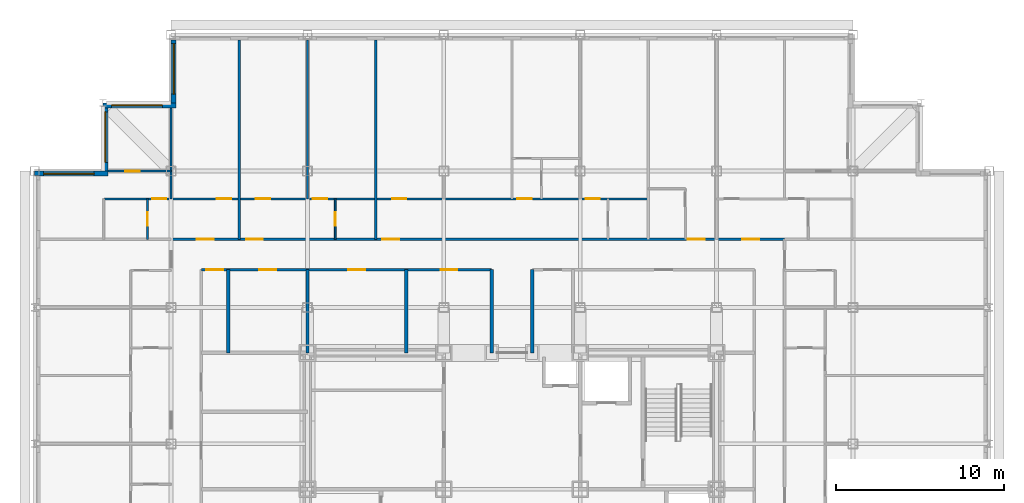
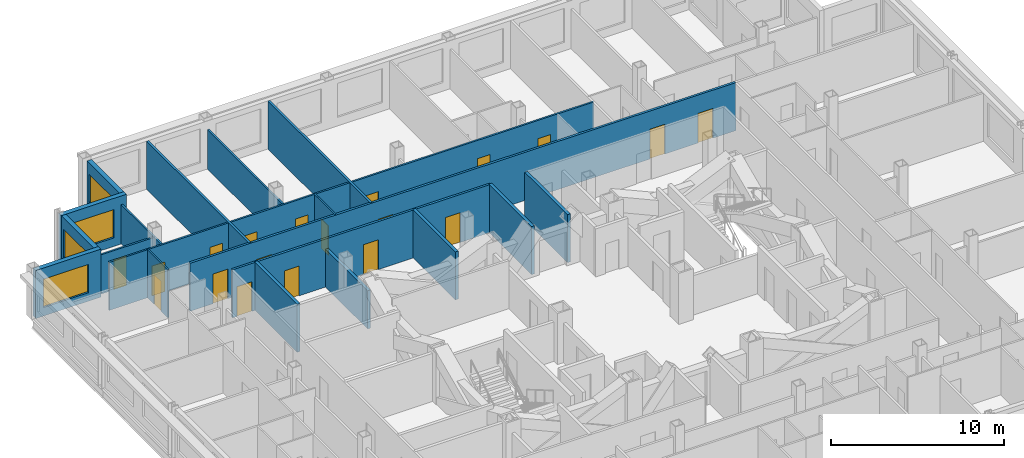
# One storey, part 9 of 12: 19 doors, 19 walls, 4 windows, 23 openings.
"""IFC4 building model written with IfcOpenShell, lengths in metres."""

from ifc_helpers import new_model, si_unit, direction, frame, frame_2d, origin, place, context, subcontext, project, spatial, rectangle, extrude, material, layer, layer_set, type_object, element, fill, save


model = new_model("IFC4")

# Units and contexts
model_context = context("Model", 3, precision=1e-05, world=origin(), true_north=direction((0.0, 1.0)))
body_context = subcontext(model_context, "Body", "Model", "MODEL_VIEW")
ifc_project = project(units=[si_unit("LENGTHUNIT", "METRE"), si_unit("AREAUNIT", "SQUARE_METRE"), si_unit("VOLUMEUNIT", "CUBIC_METRE"), si_unit("PLANEANGLEUNIT", "RADIAN"), si_unit("MASSUNIT", "GRAM", prefix="KILO")], contexts=[model_context])

# Site, building, storey
site_placement = place(None, origin())
site = spatial("IfcSite", under=ifc_project, at=site_placement, CompositionType="ELEMENT")
building_placement = place(site_placement, origin())
building = spatial("IfcBuilding", under=site, at=building_placement, Name="Kopane Lantern Tower", CompositionType="ELEMENT")
storey_placement = place(building_placement, frame((0.0, 0.0, 210.0)))
storey = spatial("IfcBuildingStorey", under=building, at=storey_placement, Name="L54", CompositionType="ELEMENT", Elevation=210.0)

# Wall
ifc_material_1 = material(Name="Gypsum board on steel studs", Category="steel")
ifc_layer_1 = layer(ifc_material_1, 0.1201171875)
ifc_layer_set_1 = layer_set([ifc_layer_1], Name="APARTMENT INTERNAL WALL 120")
wall_type_1 = type_object("IfcWallType", Name="APARTMENT INTERNAL WALL 120", PredefinedType="PARTITIONING", material=ifc_layer_set_1)
wall_1_placement = place(storey_placement, frame((16.199951171875, 49.64990234375, 0.0), z_axis=(0.0, 0.0, 1.0), x_axis=(0.0, 1.0, 0.0)))
element("IfcWall", 1, at=wall_1_placement, inside=storey, type_object=wall_type_1, Name="Apartment Internal Wall 120 L54", PredefinedType="PARTITIONING", context=body_context, shape_type="SweptSolid", body=[
    extrude(rectangle(XDim=9.4501953125, YDim=0.1201171875, at=frame_2d((4.72509765625, 0.0))), origin(), (0.0, 0.0, 1.0), 2.77783203125),
])

# Wall, openings, doors
wall_2_placement = place(storey_placement, frame((4.10009765625, 49.64990234375, 0.0), z_axis=(0.0, 0.0, 1.0), x_axis=(1.0, 0.0, 0.0)))
wall_2 = element("IfcWall", 2, at=wall_2_placement, inside=storey, type_object=wall_type_1, Name="Apartment Internal Wall 120 L54", PredefinedType="PARTITIONING", context=body_context, shape_type="SweptSolid", body=[
    extrude(rectangle(XDim=32.349853515625, YDim=0.1201171875, at=frame_2d((16.1748046875, 0.0))), origin(), (0.0, 0.0, 1.0), 3.389892578125),
])
opening_1_placement = place(wall_2_placement, frame((9.02490234375, 0.0, 0.0)))
opening_1 = element("IfcOpeningElement", 3, at=opening_1_placement, cuts=wall_2, Name="Opening L54-031", PredefinedType="OPENING", context=body_context, shape_type="SweptSolid", body=[
    extrude(rectangle(XDim=0.85009765625, YDim=2.10009765625, at=frame_2d((0.425048828125, 1.050048828125))), frame((0.0, 0.070068359375, 0.0), z_axis=(0.0, -1.0, 0.0), x_axis=(1.0, 0.0, 0.0)), (0.0, 0.0, 1.0), 0.14013671875),
])
opening_2_placement = place(wall_2_placement, frame((12.425048828125, 0.0, 0.0)))
opening_2 = element("IfcOpeningElement", 4, at=opening_2_placement, cuts=wall_2, Name="Opening L54-032", PredefinedType="OPENING", context=body_context, shape_type="SweptSolid", body=[
    extrude(rectangle(XDim=0.85009765625, YDim=2.10009765625, at=frame_2d((0.425048828125, 1.050048828125))), frame((0.0, 0.070068359375, 0.0), z_axis=(0.0, -1.0, 0.0), x_axis=(1.0, 0.0, 0.0)), (0.0, 0.0, 1.0), 0.14013671875),
])
opening_3_placement = place(wall_2_placement, frame((17.125, 0.0, 0.0)))
opening_3 = element("IfcOpeningElement", 5, at=opening_3_placement, cuts=wall_2, Name="Opening L54-035", PredefinedType="OPENING", context=body_context, shape_type="SweptSolid", body=[
    extrude(rectangle(XDim=0.85009765625, YDim=2.10009765625, at=frame_2d((0.425048828125, 1.050048828125))), frame((0.0, 0.070068359375, 0.0), z_axis=(0.0, -1.0, 0.0), x_axis=(1.0, 0.0, 0.0)), (0.0, 0.0, 1.0), 0.14013671875),
])
opening_4_placement = place(wall_2_placement, frame((24.574951171875, 0.0, 0.0)))
opening_4 = element("IfcOpeningElement", 6, at=opening_4_placement, cuts=wall_2, Name="Opening L54-037", PredefinedType="OPENING", context=body_context, shape_type="SweptSolid", body=[
    extrude(rectangle(XDim=0.85009765625, YDim=2.10009765625, at=frame_2d((0.425048828125, 1.050048828125))), frame((0.0, 0.070068359375, 0.0), z_axis=(0.0, -1.0, 0.0), x_axis=(1.0, 0.0, 0.0)), (0.0, 0.0, 1.0), 0.14013671875),
])
opening_5_placement = place(wall_2_placement, frame((28.625, 0.0, 0.0)))
opening_5 = element("IfcOpeningElement", 7, at=opening_5_placement, cuts=wall_2, Name="Opening L54-038", PredefinedType="OPENING", context=body_context, shape_type="SweptSolid", body=[
    extrude(rectangle(XDim=0.85009765625, YDim=2.10009765625, at=frame_2d((0.425048828125, 1.050048828125))), frame((0.0, 0.070068359375, 0.0), z_axis=(0.0, -1.0, 0.0), x_axis=(1.0, 0.0, 0.0)), (0.0, 0.0, 1.0), 0.14013671875),
])
opening_6_placement = place(wall_2_placement, frame((6.72509765625, 0.0, 0.0)))
opening_6 = element("IfcOpeningElement", 8, at=opening_6_placement, cuts=wall_2, Name="Opening L54-076", PredefinedType="OPENING", context=body_context, shape_type="SweptSolid", body=[
    extrude(rectangle(XDim=0.85009765625, YDim=2.10009765625, at=frame_2d((0.425048828125, 1.050048828125))), frame((0.0, 0.070068359375, 0.0), z_axis=(0.0, -1.0, 0.0), x_axis=(1.0, 0.0, 0.0)), (0.0, 0.0, 1.0), 0.14013671875),
])
opening_7_placement = place(wall_2_placement, frame((2.875, 0.0, 0.0)))
opening_7 = element("IfcOpeningElement", 9, at=opening_7_placement, cuts=wall_2, Name="Opening L54-078", PredefinedType="OPENING", context=body_context, shape_type="SweptSolid", body=[
    extrude(rectangle(XDim=0.85009765625, YDim=2.10009765625, at=frame_2d((0.425048828125, 1.050048828125))), frame((0.0, 0.070068359375, 0.0), z_axis=(0.0, -1.0, 0.0), x_axis=(1.0, 0.0, 0.0)), (0.0, 0.0, 1.0), 0.14013671875),
])
ifc_material_2 = material(Name="Timber door set", Category="wood")
door_type_1 = type_object("IfcDoorType", Name="DOOR D4 850x2100", OperationType="SINGLE_SWING_LEFT", PredefinedType="DOOR", material=ifc_material_2)
door_1_placement = place(opening_1_placement, origin())
door_1 = element("IfcDoor", 10, at=door_1_placement, inside=storey, type_object=door_type_1, Name="Door L54-031", OperationType="SINGLE_SWING_RIGHT", OverallHeight=2.10009765625, OverallWidth=0.85009765625, PredefinedType="DOOR", context=body_context, shape_type="SweptSolid", body=[
    extrude(rectangle(XDim=0.85009765625, YDim=2.10009765625, at=frame_2d((0.425048828125, 1.050048828125))), frame((0.0, 0.02490234375, 0.0), z_axis=(0.0, -1.0, 0.0), x_axis=(1.0, 0.0, 0.0)), (0.0, 0.0, 1.0), 0.050048828125),
])
fill(opening_1, door_1)
door_2_placement = place(opening_2_placement, origin())
door_2 = element("IfcDoor", 11, at=door_2_placement, inside=storey, type_object=door_type_1, Name="Door L54-032", OperationType="SINGLE_SWING_LEFT", OverallHeight=2.10009765625, OverallWidth=0.85009765625, PredefinedType="DOOR", context=body_context, shape_type="SweptSolid", body=[
    extrude(rectangle(XDim=0.85009765625, YDim=2.10009765625, at=frame_2d((0.425048828125, 1.050048828125))), frame((0.0, 0.02490234375, 0.0), z_axis=(0.0, -1.0, 0.0), x_axis=(1.0, 0.0, 0.0)), (0.0, 0.0, 1.0), 0.050048828125),
])
fill(opening_2, door_2)
door_3_placement = place(opening_3_placement, origin())
door_3 = element("IfcDoor", 12, at=door_3_placement, inside=storey, type_object=door_type_1, Name="Door L54-035", OperationType="SINGLE_SWING_RIGHT", OverallHeight=2.10009765625, OverallWidth=0.85009765625, PredefinedType="DOOR", context=body_context, shape_type="SweptSolid", body=[
    extrude(rectangle(XDim=0.85009765625, YDim=2.10009765625, at=frame_2d((0.425048828125, 1.050048828125))), frame((0.0, 0.02490234375, 0.0), z_axis=(0.0, -1.0, 0.0), x_axis=(1.0, 0.0, 0.0)), (0.0, 0.0, 1.0), 0.050048828125),
])
fill(opening_3, door_3)
door_4_placement = place(opening_4_placement, origin())
door_4 = element("IfcDoor", 13, at=door_4_placement, inside=storey, type_object=door_type_1, Name="Door L54-037", OperationType="SINGLE_SWING_LEFT", OverallHeight=2.10009765625, OverallWidth=0.85009765625, PredefinedType="DOOR", context=body_context, shape_type="SweptSolid", body=[
    extrude(rectangle(XDim=0.85009765625, YDim=2.10009765625, at=frame_2d((0.425048828125, 1.050048828125))), frame((0.0, 0.02490234375, 0.0), z_axis=(0.0, -1.0, 0.0), x_axis=(1.0, 0.0, 0.0)), (0.0, 0.0, 1.0), 0.050048828125),
])
fill(opening_4, door_4)
door_5_placement = place(opening_5_placement, origin())
door_5 = element("IfcDoor", 14, at=door_5_placement, inside=storey, type_object=door_type_1, Name="Door L54-038", OperationType="SINGLE_SWING_LEFT", OverallHeight=2.10009765625, OverallWidth=0.85009765625, PredefinedType="DOOR", context=body_context, shape_type="SweptSolid", body=[
    extrude(rectangle(XDim=0.85009765625, YDim=2.10009765625, at=frame_2d((0.425048828125, 1.050048828125))), frame((0.0, 0.02490234375, 0.0), z_axis=(0.0, -1.0, 0.0), x_axis=(1.0, 0.0, 0.0)), (0.0, 0.0, 1.0), 0.050048828125),
])
fill(opening_5, door_5)
door_6_placement = place(opening_6_placement, origin())
door_6 = element("IfcDoor", 15, at=door_6_placement, inside=storey, type_object=door_type_1, Name="Door L54-076", OperationType="SINGLE_SWING_LEFT", OverallHeight=2.10009765625, OverallWidth=0.85009765625, PredefinedType="DOOR", context=body_context, shape_type="SweptSolid", body=[
    extrude(rectangle(XDim=0.85009765625, YDim=2.10009765625, at=frame_2d((0.425048828125, 1.050048828125))), frame((0.0, 0.02490234375, 0.0), z_axis=(0.0, -1.0, 0.0), x_axis=(1.0, 0.0, 0.0)), (0.0, 0.0, 1.0), 0.050048828125),
])
fill(opening_6, door_6)
door_7_placement = place(opening_7_placement, origin())
door_7 = element("IfcDoor", 16, at=door_7_placement, inside=storey, type_object=door_type_1, Name="Door L54-078", OperationType="SINGLE_SWING_RIGHT", OverallHeight=2.10009765625, OverallWidth=0.85009765625, PredefinedType="DOOR", context=body_context, shape_type="SweptSolid", body=[
    extrude(rectangle(XDim=0.85009765625, YDim=2.10009765625, at=frame_2d((0.425048828125, 1.050048828125))), frame((0.0, 0.02490234375, 0.0), z_axis=(0.0, -1.0, 0.0), x_axis=(1.0, 0.0, 0.0)), (0.0, 0.0, 1.0), 0.050048828125),
])
fill(opening_7, door_7)

# Wall
wall_3_placement = place(storey_placement, frame((8.10009765625, 49.64990234375, 0.0), z_axis=(0.0, 0.0, 1.0), x_axis=(0.0, 1.0, 0.0)))
element("IfcWall", 17, at=wall_3_placement, inside=storey, type_object=wall_type_1, Name="Apartment Internal Wall 120 L54", PredefinedType="PARTITIONING", context=body_context, shape_type="SweptSolid", body=[
    extrude(rectangle(XDim=5.400146484375, YDim=0.1201171875, at=frame_2d((2.7001953125, 0.0))), origin(), (0.0, 0.0, 1.0), 2.77783203125),
])

# Wall, opening, door
wall_4_placement = place(storey_placement, frame((8.10009765625, 51.300048828125, 0.0), z_axis=(0.0, 0.0, 1.0), x_axis=(-1.0, 0.0, 0.0)))
wall_4 = element("IfcWall", 18, at=wall_4_placement, inside=storey, type_object=wall_type_1, Name="Apartment Internal Wall 120 L54", PredefinedType="PARTITIONING", context=body_context, shape_type="SweptSolid", body=[
    extrude(rectangle(XDim=3.75, YDim=0.1201171875, at=frame_2d((1.875, 0.0))), origin(), (0.0, 0.0, 1.0), 2.77783203125),
])
opening_8_placement = place(wall_4_placement, frame((1.875, 0.0, 0.0)))
opening_8 = element("IfcOpeningElement", 19, at=opening_8_placement, cuts=wall_4, Name="Opening L54-079", PredefinedType="OPENING", context=body_context, shape_type="SweptSolid", body=[
    extrude(rectangle(XDim=0.85009765625, YDim=2.10009765625, at=frame_2d((0.425048828125, 1.050048828125))), frame((0.0, 0.070068359375, 0.0), z_axis=(0.0, -1.0, 0.0), x_axis=(1.0, 0.0, 0.0)), (0.0, 0.0, 1.0), 0.14013671875),
])
door_8_placement = place(opening_8_placement, origin())
door_8 = element("IfcDoor", 20, at=door_8_placement, inside=storey, type_object=door_type_1, Name="Door L54-079", OperationType="SINGLE_SWING_LEFT", OverallHeight=2.10009765625, OverallWidth=0.85009765625, PredefinedType="DOOR", context=body_context, shape_type="SweptSolid", body=[
    extrude(rectangle(XDim=0.85009765625, YDim=2.10009765625, at=frame_2d((0.425048828125, 1.050048828125))), frame((0.0, 0.02490234375, 0.0), z_axis=(0.0, -1.0, 0.0), x_axis=(1.0, 0.0, 0.0)), (0.0, 0.0, 1.0), 0.050048828125),
])
fill(opening_8, door_8)

ifc_material_3 = material(Name="Moisture-resistant board on steel studs", Category="steel")
ifc_layer_2 = layer(ifc_material_3, 0.10009765625)
ifc_layer_set_2 = layer_set([ifc_layer_2], Name="BATHROOM WALL 100")
wall_type_2 = type_object("IfcWallType", Name="BATHROOM WALL 100", PredefinedType="PARTITIONING", material=ifc_layer_set_2)
wall_5_placement = place(storey_placement, frame((17.85009765625, 47.25, 0.0), z_axis=(0.0, 0.0, 1.0), x_axis=(0.0, 1.0, 0.0)))
wall_5 = element("IfcWall", 21, at=wall_5_placement, inside=storey, type_object=wall_type_2, Name="Bathroom Wall 100 L54", PredefinedType="PARTITIONING", context=body_context, shape_type="SweptSolid", body=[
    extrude(rectangle(XDim=2.39990234375, YDim=0.10009765625, at=frame_2d((1.199951171875, 0.0))), origin(), (0.0, 0.0, 1.0), 3.389892578125),
])
opening_9_placement = place(wall_5_placement, frame((0.800048828125, 0.0, 0.0)))
opening_9 = element("IfcOpeningElement", 22, at=opening_9_placement, cuts=wall_5, Name="Opening L54-029", PredefinedType="OPENING", context=body_context, shape_type="SweptSolid", body=[
    extrude(rectangle(XDim=0.800048828125, YDim=2.10009765625, at=frame_2d((0.39990234375, 1.050048828125))), frame((0.0, 0.06005859375, 0.0), z_axis=(0.0, -1.0, 0.0), x_axis=(1.0, 0.0, 0.0)), (0.0, 0.0, 1.0), 0.1201171875),
])
ifc_material_4 = material(Name="Timber door set", Category="wood")
door_type_2 = type_object("IfcDoorType", Name="DOOR D2 800x2100", OperationType="SINGLE_SWING_LEFT", PredefinedType="DOOR", material=ifc_material_4)
door_9_placement = place(opening_9_placement, origin())
door_9 = element("IfcDoor", 23, at=door_9_placement, inside=storey, type_object=door_type_2, Name="Door L54-029", OperationType="SINGLE_SWING_RIGHT", OverallHeight=2.10009765625, OverallWidth=0.800048828125, PredefinedType="DOOR", context=body_context, shape_type="SweptSolid", body=[
    extrude(rectangle(XDim=0.800048828125, YDim=2.10009765625, at=frame_2d((0.39990234375, 1.050048828125))), frame((0.0, 0.02490234375, 0.0), z_axis=(0.0, -1.0, 0.0), x_axis=(1.0, 0.0, 0.0)), (0.0, 0.0, 1.0), 0.050048828125),
])
fill(opening_9, door_9)

wall_6_placement = place(storey_placement, frame((6.699951171875, 47.25, 0.0), z_axis=(0.0, 0.0, 1.0), x_axis=(0.0, 1.0, 0.0)))
wall_6 = element("IfcWall", 24, at=wall_6_placement, inside=storey, type_object=wall_type_2, Name="Bathroom Wall 100 L54", PredefinedType="PARTITIONING", context=body_context, shape_type="SweptSolid", body=[
    extrude(rectangle(XDim=2.39990234375, YDim=0.10009765625, at=frame_2d((1.199951171875, 0.0))), origin(), (0.0, 0.0, 1.0), 3.389892578125),
])
opening_10_placement = place(wall_6_placement, frame((0.800048828125, 0.0, 0.0)))
opening_10 = element("IfcOpeningElement", 25, at=opening_10_placement, cuts=wall_6, Name="Opening L54-077", PredefinedType="OPENING", context=body_context, shape_type="SweptSolid", body=[
    extrude(rectangle(XDim=0.800048828125, YDim=2.10009765625, at=frame_2d((0.39990234375, 1.050048828125))), frame((0.0, 0.06005859375, 0.0), z_axis=(0.0, -1.0, 0.0), x_axis=(1.0, 0.0, 0.0)), (0.0, 0.0, 1.0), 0.1201171875),
])
door_10_placement = place(opening_10_placement, origin())
door_10 = element("IfcDoor", 26, at=door_10_placement, inside=storey, type_object=door_type_2, Name="Door L54-077", OperationType="SINGLE_SWING_LEFT", OverallHeight=2.10009765625, OverallWidth=0.800048828125, PredefinedType="DOOR", context=body_context, shape_type="SweptSolid", body=[
    extrude(rectangle(XDim=0.800048828125, YDim=2.10009765625, at=frame_2d((0.39990234375, 1.050048828125))), frame((0.0, 0.02490234375, 0.0), z_axis=(0.0, -1.0, 0.0), x_axis=(1.0, 0.0, 0.0)), (0.0, 0.0, 1.0), 0.050048828125),
])
fill(opening_10, door_10)

# Wall, openings, doors
ifc_material_5 = material(Name="Gypsum board on steel studs", Category="steel")
ifc_layer_3 = layer(ifc_material_5, 0.14990234375)
ifc_layer_set_3 = layer_set([ifc_layer_3], Name="CORRIDOR WALL 150 EI 60")
wall_type_3 = type_object("IfcWallType", Name="CORRIDOR WALL 150 EI 60", PredefinedType="PARTITIONING", material=ifc_layer_set_3)
wall_7_placement = place(storey_placement, frame((8.10009765625, 47.25, 0.0), z_axis=(0.0, 0.0, 1.0), x_axis=(1.0, 0.0, 0.0)))
wall_7 = element("IfcWall", 27, at=wall_7_placement, inside=storey, type_object=wall_type_3, Name="Corridor Wall 150 Ei 60 L54", PredefinedType="PARTITIONING", context=body_context, shape_type="SweptSolid", body=[
    extrude(rectangle(XDim=36.449951171875, YDim=0.14990234375, at=frame_2d((18.22509765625, 0.0))), origin(), (0.0, 0.0, 1.0), 3.389892578125),
])
opening_11_placement = place(wall_7_placement, frame((4.449951171875, 0.0, 0.0)))
opening_11 = element("IfcOpeningElement", 28, at=opening_11_placement, cuts=wall_7, Name="Opening L54-030", PredefinedType="OPENING", context=body_context, shape_type="SweptSolid", body=[
    extrude(rectangle(XDim=1.0, YDim=2.10009765625, at=frame_2d((0.5, 1.050048828125))), frame((0.0, 0.0849609375, 0.0), z_axis=(0.0, -1.0, 0.0), x_axis=(1.0, 0.0, 0.0)), (0.0, 0.0, 1.0), 0.169921875),
])
opening_12_placement = place(wall_7_placement, frame((12.550048828125, 0.0, 0.0)))
opening_12 = element("IfcOpeningElement", 29, at=opening_12_placement, cuts=wall_7, Name="Opening L54-034", PredefinedType="OPENING", context=body_context, shape_type="SweptSolid", body=[
    extrude(rectangle(XDim=1.0, YDim=2.10009765625, at=frame_2d((0.5, 1.050048828125))), frame((0.0, 0.0849609375, 0.0), z_axis=(0.0, -1.0, 0.0), x_axis=(1.0, 0.0, 0.0)), (0.0, 0.0, 1.0), 0.169921875),
])
opening_13_placement = place(wall_7_placement, frame((30.699951171875, 0.0, 0.0)))
opening_13 = element("IfcOpeningElement", 30, at=opening_13_placement, cuts=wall_7, Name="Opening L54-040", PredefinedType="OPENING", context=body_context, shape_type="SweptSolid", body=[
    extrude(rectangle(XDim=1.0, YDim=2.10009765625, at=frame_2d((0.5, 1.050048828125))), frame((0.0, 0.0849609375, 0.0), z_axis=(0.0, -1.0, 0.0), x_axis=(1.0, 0.0, 0.0)), (0.0, 0.0, 1.0), 0.169921875),
])
opening_14_placement = place(wall_7_placement, frame((33.925048828125, 0.0, 0.0)))
opening_14 = element("IfcOpeningElement", 31, at=opening_14_placement, cuts=wall_7, Name="Opening L54-070", PredefinedType="OPENING", context=body_context, shape_type="SweptSolid", body=[
    extrude(rectangle(XDim=1.0, YDim=2.10009765625, at=frame_2d((0.5, 1.050048828125))), frame((0.0, 0.0849609375, 0.0), z_axis=(0.0, -1.0, 0.0), x_axis=(1.0, 0.0, 0.0)), (0.0, 0.0, 1.0), 0.169921875),
])
opening_15_placement = place(wall_7_placement, frame((1.52490234375, 0.0, 0.0)))
opening_15 = element("IfcOpeningElement", 32, at=opening_15_placement, cuts=wall_7, Name="Opening L54-075", PredefinedType="OPENING", context=body_context, shape_type="SweptSolid", body=[
    extrude(rectangle(XDim=1.0, YDim=2.10009765625, at=frame_2d((0.5, 1.050048828125))), frame((0.0, 0.0849609375, 0.0), z_axis=(0.0, -1.0, 0.0), x_axis=(1.0, 0.0, 0.0)), (0.0, 0.0, 1.0), 0.169921875),
])
ifc_material_6 = material(Name="Steel door set", Category="steel")
door_type_3 = type_object("IfcDoorType", Name="DOOR D3 1000x2100 FD30S", OperationType="SINGLE_SWING_LEFT", PredefinedType="DOOR", material=ifc_material_6)
door_11_placement = place(opening_11_placement, origin())
door_11 = element("IfcDoor", 33, at=door_11_placement, inside=storey, type_object=door_type_3, Name="Door L54-030", OperationType="SINGLE_SWING_LEFT", OverallHeight=2.10009765625, OverallWidth=1.0, PredefinedType="DOOR", context=body_context, shape_type="SweptSolid", body=[
    extrude(rectangle(XDim=1.0, YDim=2.10009765625, at=frame_2d((0.5, 1.050048828125))), frame((0.0, 0.02490234375, 0.0), z_axis=(0.0, -1.0, 0.0), x_axis=(1.0, 0.0, 0.0)), (0.0, 0.0, 1.0), 0.050048828125),
])
fill(opening_11, door_11)
door_12_placement = place(opening_12_placement, origin())
door_12 = element("IfcDoor", 34, at=door_12_placement, inside=storey, type_object=door_type_3, Name="Door L54-034", OperationType="SINGLE_SWING_LEFT", OverallHeight=2.10009765625, OverallWidth=1.0, PredefinedType="DOOR", context=body_context, shape_type="SweptSolid", body=[
    extrude(rectangle(XDim=1.0, YDim=2.10009765625, at=frame_2d((0.5, 1.050048828125))), frame((0.0, 0.02490234375, 0.0), z_axis=(0.0, -1.0, 0.0), x_axis=(1.0, 0.0, 0.0)), (0.0, 0.0, 1.0), 0.050048828125),
])
fill(opening_12, door_12)
door_13_placement = place(opening_13_placement, origin())
door_13 = element("IfcDoor", 35, at=door_13_placement, inside=storey, type_object=door_type_3, Name="Door L54-040", OperationType="SINGLE_SWING_LEFT", OverallHeight=2.10009765625, OverallWidth=1.0, PredefinedType="DOOR", context=body_context, shape_type="SweptSolid", body=[
    extrude(rectangle(XDim=1.0, YDim=2.10009765625, at=frame_2d((0.5, 1.050048828125))), frame((0.0, 0.02490234375, 0.0), z_axis=(0.0, -1.0, 0.0), x_axis=(1.0, 0.0, 0.0)), (0.0, 0.0, 1.0), 0.050048828125),
])
fill(opening_13, door_13)
door_14_placement = place(opening_14_placement, origin())
door_14 = element("IfcDoor", 36, at=door_14_placement, inside=storey, type_object=door_type_3, Name="Door L54-070", OperationType="SINGLE_SWING_LEFT", OverallHeight=2.10009765625, OverallWidth=1.0, PredefinedType="DOOR", context=body_context, shape_type="SweptSolid", body=[
    extrude(rectangle(XDim=1.0, YDim=2.10009765625, at=frame_2d((0.5, 1.050048828125))), frame((0.0, 0.02490234375, 0.0), z_axis=(0.0, -1.0, 0.0), x_axis=(1.0, 0.0, 0.0)), (0.0, 0.0, 1.0), 0.050048828125),
])
fill(opening_14, door_14)
door_15_placement = place(opening_15_placement, origin())
door_15 = element("IfcDoor", 37, at=door_15_placement, inside=storey, type_object=door_type_3, Name="Door L54-075", OperationType="SINGLE_SWING_RIGHT", OverallHeight=2.10009765625, OverallWidth=1.0, PredefinedType="DOOR", context=body_context, shape_type="SweptSolid", body=[
    extrude(rectangle(XDim=1.0, YDim=2.10009765625, at=frame_2d((0.5, 1.050048828125))), frame((0.0, 0.02490234375, 0.0), z_axis=(0.0, -1.0, 0.0), x_axis=(1.0, 0.0, 0.0)), (0.0, 0.0, 1.0), 0.050048828125),
])
fill(opening_15, door_15)

wall_8_placement = place(storey_placement, frame((27.139892578125, 45.449951171875, 0.0), z_axis=(0.0, 0.0, 1.0), x_axis=(-1.0, 0.0, 0.0)))
wall_8 = element("IfcWall", 38, at=wall_8_placement, inside=storey, type_object=wall_type_3, Name="Corridor Wall 150 Ei 60 L54", PredefinedType="PARTITIONING", context=body_context, shape_type="SweptSolid", body=[
    extrude(rectangle(XDim=17.239990234375, YDim=0.14990234375, at=frame_2d((8.6201171875, 0.0))), origin(), (0.0, 0.0, 1.0), 3.389892578125),
])
opening_16_placement = place(wall_8_placement, frame((15.93994140625, 0.0, 0.0)))
opening_16 = element("IfcOpeningElement", 39, at=opening_16_placement, cuts=wall_8, Name="Opening L54-011", PredefinedType="OPENING", context=body_context, shape_type="SweptSolid", body=[
    extrude(rectangle(XDim=1.0, YDim=2.10009765625, at=frame_2d((0.5, 1.050048828125))), frame((0.0, 0.0849609375, 0.0), z_axis=(0.0, -1.0, 0.0), x_axis=(1.0, 0.0, 0.0)), (0.0, 0.0, 1.0), 0.169921875),
])
opening_17_placement = place(wall_8_placement, frame((12.7900390625, 0.0, 0.0)))
opening_17 = element("IfcOpeningElement", 40, at=opening_17_placement, cuts=wall_8, Name="Opening L54-012", PredefinedType="OPENING", context=body_context, shape_type="SweptSolid", body=[
    extrude(rectangle(XDim=1.0, YDim=2.10009765625, at=frame_2d((0.5, 1.050048828125))), frame((0.0, 0.0849609375, 0.0), z_axis=(0.0, -1.0, 0.0), x_axis=(1.0, 0.0, 0.0)), (0.0, 0.0, 1.0), 0.169921875),
])
opening_18_placement = place(wall_8_placement, frame((7.5107421875, 0.0, 0.0)))
opening_18 = element("IfcOpeningElement", 41, at=opening_18_placement, cuts=wall_8, Name="Opening L54-013", PredefinedType="OPENING", context=body_context, shape_type="SweptSolid", body=[
    extrude(rectangle(XDim=1.0, YDim=2.10009765625, at=frame_2d((0.5, 1.050048828125))), frame((0.0, 0.0849609375, 0.0), z_axis=(0.0, -1.0, 0.0), x_axis=(1.0, 0.0, 0.0)), (0.0, 0.0, 1.0), 0.169921875),
])
opening_19_placement = place(wall_8_placement, frame((2.03564453125, 0.0, 0.0)))
opening_19 = element("IfcOpeningElement", 42, at=opening_19_placement, cuts=wall_8, Name="Opening L54-014", PredefinedType="OPENING", context=body_context, shape_type="SweptSolid", body=[
    extrude(rectangle(XDim=1.0, YDim=2.10009765625, at=frame_2d((0.5, 1.050048828125))), frame((0.0, 0.0849609375, 0.0), z_axis=(0.0, -1.0, 0.0), x_axis=(1.0, 0.0, 0.0)), (0.0, 0.0, 1.0), 0.169921875),
])
ifc_material_7 = material(Name="Steel door set", Category="steel")
door_type_4 = type_object("IfcDoorType", Name="DOOR D5 1000x2100 FD60", OperationType="SINGLE_SWING_LEFT", PredefinedType="DOOR", material=ifc_material_7)
door_16_placement = place(opening_16_placement, origin())
door_16 = element("IfcDoor", 43, at=door_16_placement, inside=storey, type_object=door_type_4, Name="Door L54-011", OperationType="SINGLE_SWING_RIGHT", OverallHeight=2.10009765625, OverallWidth=1.0, PredefinedType="DOOR", context=body_context, shape_type="SweptSolid", body=[
    extrude(rectangle(XDim=1.0, YDim=2.10009765625, at=frame_2d((0.5, 1.050048828125))), frame((0.0, 0.02490234375, 0.0), z_axis=(0.0, -1.0, 0.0), x_axis=(1.0, 0.0, 0.0)), (0.0, 0.0, 1.0), 0.050048828125),
])
fill(opening_16, door_16)
door_17_placement = place(opening_17_placement, origin())
door_17 = element("IfcDoor", 44, at=door_17_placement, inside=storey, type_object=door_type_4, Name="Door L54-012", OperationType="SINGLE_SWING_LEFT", OverallHeight=2.10009765625, OverallWidth=1.0, PredefinedType="DOOR", context=body_context, shape_type="SweptSolid", body=[
    extrude(rectangle(XDim=1.0, YDim=2.10009765625, at=frame_2d((0.5, 1.050048828125))), frame((0.0, 0.02490234375, 0.0), z_axis=(0.0, -1.0, 0.0), x_axis=(1.0, 0.0, 0.0)), (0.0, 0.0, 1.0), 0.050048828125),
])
fill(opening_17, door_17)
door_18_placement = place(opening_18_placement, origin())
door_18 = element("IfcDoor", 45, at=door_18_placement, inside=storey, type_object=door_type_4, Name="Door L54-013", OperationType="SINGLE_SWING_RIGHT", OverallHeight=2.10009765625, OverallWidth=1.0, PredefinedType="DOOR", context=body_context, shape_type="SweptSolid", body=[
    extrude(rectangle(XDim=1.0, YDim=2.10009765625, at=frame_2d((0.5, 1.050048828125))), frame((0.0, 0.02490234375, 0.0), z_axis=(0.0, -1.0, 0.0), x_axis=(1.0, 0.0, 0.0)), (0.0, 0.0, 1.0), 0.050048828125),
])
fill(opening_18, door_18)
door_19_placement = place(opening_19_placement, origin())
door_19 = element("IfcDoor", 46, at=door_19_placement, inside=storey, type_object=door_type_4, Name="Door L54-014", OperationType="SINGLE_SWING_LEFT", OverallHeight=2.10009765625, OverallWidth=1.0, PredefinedType="DOOR", context=body_context, shape_type="SweptSolid", body=[
    extrude(rectangle(XDim=1.0, YDim=2.10009765625, at=frame_2d((0.5, 1.050048828125))), frame((0.0, 0.02490234375, 0.0), z_axis=(0.0, -1.0, 0.0), x_axis=(1.0, 0.0, 0.0)), (0.0, 0.0, 1.0), 0.050048828125),
])
fill(opening_19, door_19)

# Walls
ifc_material_8 = material(Name="Gypsum board on steel studs", Category="steel")
ifc_layer_4 = layer(ifc_material_8, 0.14990234375)
ifc_layer_set_4 = layer_set([ifc_layer_4], Name="DEMISING WALL 150 EI 60")
wall_type_4 = type_object("IfcWallType", Name="DEMISING WALL 150 EI 60", PredefinedType="PARTITIONING", material=ifc_layer_set_4)
for number, where, z_axis, x_axis, name in (
    (47, (20.25, 47.25, 0.0), (0.0, 0.0, 1.0), (0.0, 1.0, 0.0), "Demising Wall 150 Ei 60 L54"),
    (48, (12.14990234375, 47.25, 0.0), (0.0, 0.0, 1.0), (0.0, 1.0, 0.0), "Demising Wall 150 Ei 60 L54"),
):
    element("IfcWall", number, at=place(storey_placement, frame(where, z_axis=z_axis, x_axis=x_axis)), inside=storey, type_object=wall_type_4, Name=name, PredefinedType="PARTITIONING", context=body_context, shape_type="SweptSolid", body=[
        extrude(rectangle(XDim=11.85009765625, YDim=0.14990234375, at=frame_2d((5.925048828125, 0.0))), origin(), (0.0, 0.0, 1.0), 3.389892578125),
    ])

# Wall, opening, window
ifc_material_9 = material(Name="Terracotta rainscreen on light steel framing", Category="masonry")
ifc_layer_5 = layer(ifc_material_9, 0.300048828125)
ifc_layer_set_5 = layer_set([ifc_layer_5], Name="EXTERNAL WALL EW1 300 TERRACOTTA")
wall_type_5 = type_object("IfcWallType", Name="EXTERNAL WALL EW1 300 TERRACOTTA", PredefinedType="SOLIDWALL", material=ifc_layer_set_5)
wall_9_placement = place(storey_placement, frame((8.25, 59.10009765625, 0.0), z_axis=(0.0, 0.0, 1.0), x_axis=(0.0, -1.0, 0.0)))
wall_9 = element("IfcWall", 49, at=wall_9_placement, inside=storey, type_object=wall_type_5, Name="External wall W L54", PredefinedType="SOLIDWALL", context=body_context, shape_type="SweptSolid", body=[
    extrude(rectangle(XDim=3.75, YDim=0.300048828125, at=frame_2d((1.875, 0.0))), origin(), (0.0, 0.0, 1.0), 3.389892578125),
])
opening_20_placement = place(wall_9_placement, frame((0.22509765625, 0.0, 0.60009765625)))
opening_20 = element("IfcOpeningElement", 50, at=opening_20_placement, cuts=wall_9, Name="Opening WR300200", PredefinedType="OPENING", context=body_context, shape_type="SweptSolid", body=[
    extrude(rectangle(XDim=3.0, YDim=2.0, at=frame_2d((1.5, 1.0))), frame((0.0, 0.159912109375, 0.0), z_axis=(0.0, -1.0, 0.0), x_axis=(1.0, 0.0, 0.0)), (0.0, 0.0, 1.0), 0.320068359375),
])
ifc_material_10 = material(Name="Aluminium and clear glass", Category="aluminium")
window_type = type_object("IfcWindowType", Name="RIBBON WINDOW WR300200 3000x2000", PartitioningType="SINGLE_PANEL", PredefinedType="WINDOW", material=ifc_material_10)
window_1_placement = place(opening_20_placement, origin())
window_1 = element("IfcWindow", 51, at=window_1_placement, inside=storey, type_object=window_type, Name="Window W L54", OverallHeight=2.0, OverallWidth=3.0, PartitioningType="SINGLE_PANEL", PredefinedType="WINDOW", context=body_context, shape_type="SweptSolid", body=[
    extrude(rectangle(XDim=3.0, YDim=2.0, at=frame_2d((1.5, 1.0))), frame((0.0, 0.030029296875, 0.0), z_axis=(0.0, -1.0, 0.0), x_axis=(1.0, 0.0, 0.0)), (0.0, 0.0, 1.0), 0.06005859375),
])
fill(opening_20, window_1)

wall_10_placement = place(storey_placement, frame((8.39990234375, 55.199951171875, 0.0), z_axis=(0.0, 0.0, 1.0), x_axis=(-1.0, 0.0, 0.0)))
wall_10 = element("IfcWall", 52, at=wall_10_placement, inside=storey, type_object=wall_type_5, Name="External wall N L54", PredefinedType="SOLIDWALL", context=body_context, shape_type="SweptSolid", body=[
    extrude(rectangle(XDim=4.349853515625, YDim=0.300048828125, at=frame_2d((2.1748046875, 0.0))), origin(), (0.0, 0.0, 1.0), 3.389892578125),
])
opening_21_placement = place(wall_10_placement, frame((0.824951171875, 0.0, 0.60009765625)))
opening_21 = element("IfcOpeningElement", 53, at=opening_21_placement, cuts=wall_10, Name="Opening WR300200", PredefinedType="OPENING", context=body_context, shape_type="SweptSolid", body=[
    extrude(rectangle(XDim=3.0, YDim=2.0, at=frame_2d((1.5, 1.0))), frame((0.0, 0.159912109375, 0.0), z_axis=(0.0, -1.0, 0.0), x_axis=(1.0, 0.0, 0.0)), (0.0, 0.0, 1.0), 0.320068359375),
])
window_2_placement = place(opening_21_placement, origin())
window_2 = element("IfcWindow", 54, at=window_2_placement, inside=storey, type_object=window_type, Name="Window N L54", OverallHeight=2.0, OverallWidth=3.0, PartitioningType="SINGLE_PANEL", PredefinedType="WINDOW", context=body_context, shape_type="SweptSolid", body=[
    extrude(rectangle(XDim=3.0, YDim=2.0, at=frame_2d((1.5, 1.0))), frame((0.0, 0.030029296875, 0.0), z_axis=(0.0, -1.0, 0.0), x_axis=(1.0, 0.0, 0.0)), (0.0, 0.0, 1.0), 0.06005859375),
])
fill(opening_21, window_2)

wall_11_placement = place(storey_placement, frame((4.199951171875, 55.050048828125, 0.0), z_axis=(0.0, 0.0, 1.0), x_axis=(0.0, -1.0, 0.0)))
wall_11 = element("IfcWall", 55, at=wall_11_placement, inside=storey, type_object=wall_type_5, Name="External wall W L54", PredefinedType="SOLIDWALL", context=body_context, shape_type="SweptSolid", body=[
    extrude(rectangle(XDim=3.75, YDim=0.300048828125, at=frame_2d((1.875, 0.0))), origin(), (0.0, 0.0, 1.0), 3.389892578125),
])
opening_22_placement = place(wall_11_placement, frame((0.22509765625, 0.0, 0.60009765625)))
opening_22 = element("IfcOpeningElement", 56, at=opening_22_placement, cuts=wall_11, Name="Opening WR300200", PredefinedType="OPENING", context=body_context, shape_type="SweptSolid", body=[
    extrude(rectangle(XDim=3.0, YDim=2.0, at=frame_2d((1.5, 1.0))), frame((0.0, 0.159912109375, 0.0), z_axis=(0.0, -1.0, 0.0), x_axis=(1.0, 0.0, 0.0)), (0.0, 0.0, 1.0), 0.320068359375),
])
window_3_placement = place(opening_22_placement, origin())
window_3 = element("IfcWindow", 57, at=window_3_placement, inside=storey, type_object=window_type, Name="Window W L54", OverallHeight=2.0, OverallWidth=3.0, PartitioningType="SINGLE_PANEL", PredefinedType="WINDOW", context=body_context, shape_type="SweptSolid", body=[
    extrude(rectangle(XDim=3.0, YDim=2.0, at=frame_2d((1.5, 1.0))), frame((0.0, 0.030029296875, 0.0), z_axis=(0.0, -1.0, 0.0), x_axis=(1.0, 0.0, 0.0)), (0.0, 0.0, 1.0), 0.06005859375),
])
fill(opening_22, window_3)

wall_12_placement = place(storey_placement, frame((4.35009765625, 51.14990234375, 0.0), z_axis=(0.0, 0.0, 1.0), x_axis=(-1.0, 0.0, 0.0)))
wall_12 = element("IfcWall", 58, at=wall_12_placement, inside=storey, type_object=wall_type_5, Name="External wall N L54", PredefinedType="SOLIDWALL", context=body_context, shape_type="SweptSolid", body=[
    extrude(rectangle(XDim=4.35009765625, YDim=0.300048828125, at=frame_2d((2.175048828125, 0.0))), origin(), (0.0, 0.0, 1.0), 3.389892578125),
])
opening_23_placement = place(wall_12_placement, frame((0.824951171875, 0.0, 0.60009765625)))
opening_23 = element("IfcOpeningElement", 59, at=opening_23_placement, cuts=wall_12, Name="Opening WR300200", PredefinedType="OPENING", context=body_context, shape_type="SweptSolid", body=[
    extrude(rectangle(XDim=3.0, YDim=2.0, at=frame_2d((1.5, 1.0))), frame((0.0, 0.159912109375, 0.0), z_axis=(0.0, -1.0, 0.0), x_axis=(1.0, 0.0, 0.0)), (0.0, 0.0, 1.0), 0.320068359375),
])
window_4_placement = place(opening_23_placement, origin())
window_4 = element("IfcWindow", 60, at=window_4_placement, inside=storey, type_object=window_type, Name="Window N L54", OverallHeight=2.0, OverallWidth=3.0, PartitioningType="SINGLE_PANEL", PredefinedType="WINDOW", context=body_context, shape_type="SweptSolid", body=[
    extrude(rectangle(XDim=3.0, YDim=2.0, at=frame_2d((1.5, 1.0))), frame((0.0, 0.030029296875, 0.0), z_axis=(0.0, -1.0, 0.0), x_axis=(1.0, 0.0, 0.0)), (0.0, 0.0, 1.0), 0.06005859375),
])
fill(opening_23, window_4)

# Walls
ifc_material_11 = material(Name="Concrete masonry", Category="masonry")
ifc_layer_6 = layer(ifc_material_11, 0.199951171875)
ifc_layer_set_6 = layer_set([ifc_layer_6], Name="PLANT ROOM WALL 200 EI 120")
wall_type_6 = type_object("IfcWallType", Name="PLANT ROOM WALL 200 EI 120", PredefinedType="SOLIDWALL", material=ifc_layer_set_6)
wall_13_placement = place(storey_placement, frame((16.199951171875, 40.5, 0.0), z_axis=(0.0, 0.0, 1.0), x_axis=(0.0, 1.0, 0.0)))
element("IfcWall", 61, at=wall_13_placement, inside=storey, type_object=wall_type_6, Name="Plant Room Wall 200 Ei 120 L54", PredefinedType="SOLIDWALL", context=body_context, shape_type="SweptSolid", body=[
    extrude(rectangle(XDim=4.949951171875, YDim=0.199951171875, at=frame_2d((2.47509765625, 0.0))), origin(), (0.0, 0.0, 1.0), 2.68994140625),
])
for number, where, z_axis, x_axis, name in (
    (62, (11.5, 45.449951171875, 0.0), (0.0, 0.0, 1.0), (0.0, -1.0, 0.0), "Plant Room Wall 200 Ei 120 L54"),
    (63, (22.05859375, 45.449951171875, 0.0), (0.0, 0.0, 1.0), (0.0, -1.0, 0.0), "Plant Room Wall 200 Ei 120 L54"),
    (64, (27.14990234375, 40.5, 0.0), (0.0, 0.0, 1.0), (0.0, 1.0, 0.0), "Plant Room Wall 200 Ei 120 L54"),
    (65, (29.550048828125, 40.5, 0.0), (0.0, 0.0, 1.0), (0.0, 1.0, 0.0), "Plant Room Wall 200 Ei 120 L54"),
):
    element("IfcWall", number, at=place(storey_placement, frame(where, z_axis=z_axis, x_axis=x_axis)), inside=storey, type_object=wall_type_6, Name=name, PredefinedType="SOLIDWALL", context=body_context, shape_type="SweptSolid", body=[
        extrude(rectangle(XDim=4.949951171875, YDim=0.199951171875, at=frame_2d((2.47509765625, 0.0))), origin(), (0.0, 0.0, 1.0), 3.389892578125),
    ])

save(model, "model.ifc")
